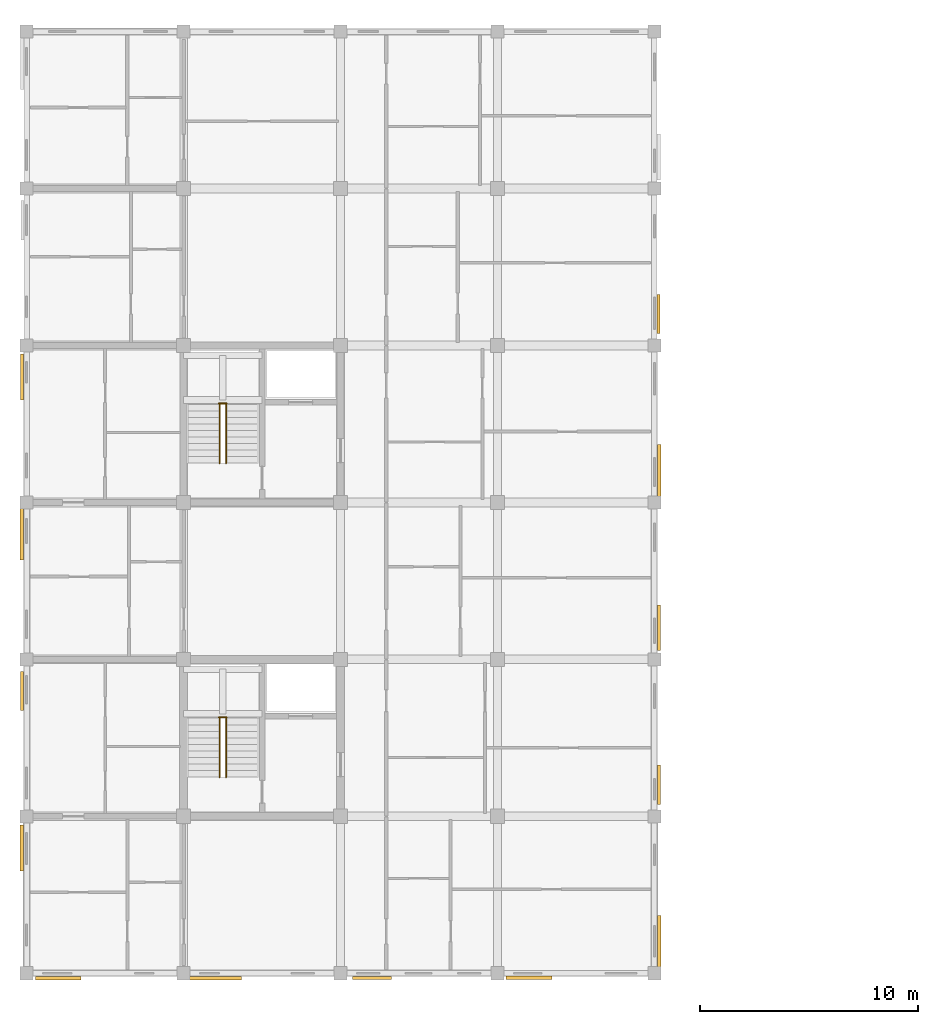
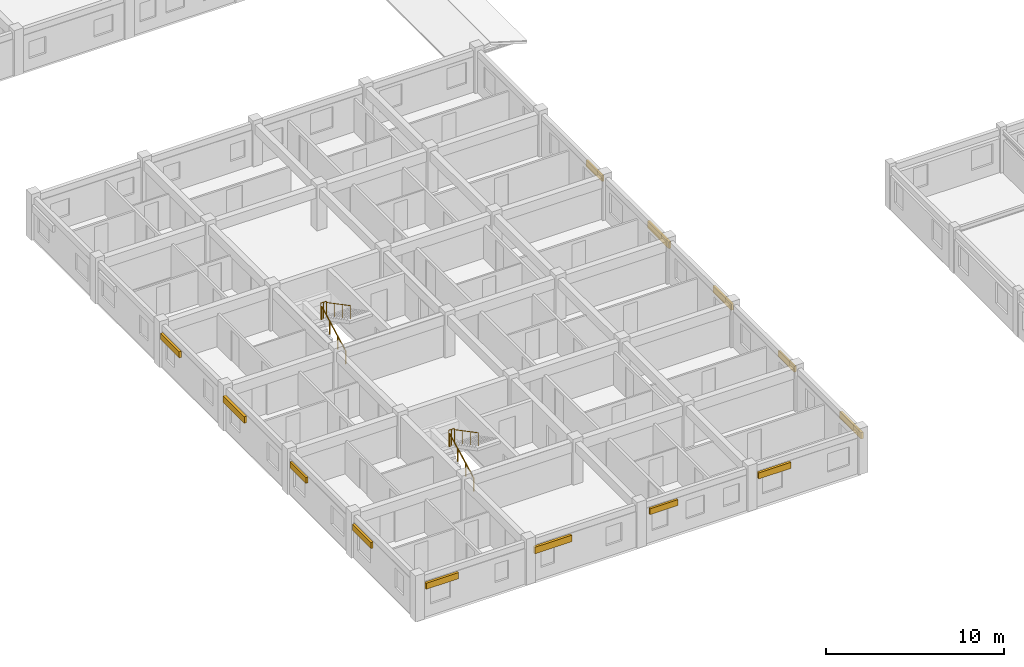
# One storey, part 43 of 50: 13 shading devices, 6 railings.
"""IFC4 building model written with IfcOpenShell, lengths in metres."""

from ifc_helpers import new_model, si_unit, direction, frame, origin, origin_2d, place, context, subcontext, project, spatial, rectangle, circle, extrude, material, type_object, element, save


model = new_model("IFC4")

# Units and contexts
model_context = context("Model", 3, precision=1e-05, world=origin(), true_north=direction((0.0, 1.0)))
body_context = subcontext(model_context, "Body", "Model", "MODEL_VIEW")
ifc_project = project(units=[si_unit("LENGTHUNIT", "METRE"), si_unit("AREAUNIT", "SQUARE_METRE"), si_unit("VOLUMEUNIT", "CUBIC_METRE"), si_unit("PLANEANGLEUNIT", "RADIAN"), si_unit("MASSUNIT", "GRAM", prefix="KILO"), si_unit("THERMODYNAMICTEMPERATUREUNIT", "KELVIN"), si_unit("POWERUNIT", "WATT")], contexts=[model_context])

# Site, building, storey
site_placement = place(None, origin())
site = spatial("IfcSite", under=ifc_project, at=site_placement, CompositionType="ELEMENT")
building_placement = place(site_placement, origin())
building = spatial("IfcBuilding", under=site, at=building_placement, Name="Tavuni Mirador Residences", CompositionType="ELEMENT")
storey_placement = place(building_placement, frame((0.0, 0.0, 4.5)))
storey = spatial("IfcBuildingStorey", under=building, at=storey_placement, Name="L01", CompositionType="ELEMENT", Elevation=4.5)

# Railings
ifc_material_1 = material(Name="Structural steel S355", Category="steel")
railing_type_1 = type_object("IfcRailingType", Name="RT-GR1120", PredefinedType="GUARDRAIL", material=ifc_material_1)
for number, where, name in (
    (1, (12.419921875, 18.93994140625, 1.574951171875), "GRD-HL-ST1-L01"),
    (2, (12.419921875, 33.340087890625, 1.574951171875), "GRD-HL-ST2-L01"),
):
    element("IfcRailing", number, at=place(storey_placement, frame(where)), inside=storey, type_object=railing_type_1, Name=name, PredefinedType="GUARDRAIL", context=body_context, shape_type="SweptSolid", body=[
        extrude(circle(Radius=0.02392578125, at=origin_2d()), frame((0.0, 0.0, 1.09619140625), z_axis=(1.0, 0.0, 0.0), x_axis=(0.0, 1.0, 0.0)), (0.0, 0.0, 1.0), 0.360107421875),
        extrude(circle(Radius=0.02099609375, at=origin_2d()), origin(), (0.0, 0.0, 1.0), 1.072021484375),
        extrude(circle(Radius=0.02099609375, at=origin_2d()), frame((0.18017578125, 0.0, 0.0)), (0.0, 0.0, 1.0), 1.072021484375),
        extrude(circle(Radius=0.02099609375, at=origin_2d()), frame((0.360107421875, 0.0, 0.0)), (0.0, 0.0, 1.0), 1.072021484375),
    ])
railing_type_2 = type_object("IfcRailingType", Name="RT-HR920", PredefinedType="HANDRAIL", material=ifc_material_1)
railing_1_placement = place(storey_placement, frame((12.449951171875, 16.199951171875, 0.157470703125)))
element("IfcRailing", 3, at=railing_1_placement, inside=storey, type_object=railing_type_2, Name="HR-ST1-L01-F1", PredefinedType="HANDRAIL", context=body_context, shape_type="SweptSolid", body=[
    extrude(circle(Radius=0.02392578125, at=origin_2d()), frame((0.0, 0.0, 0.89599609375), z_axis=(0.0, 0.885397079081, 0.464835468048), x_axis=(-1.0, 0.0, 0.0)), (0.0, 0.0, 1.0), 3.04931640625),
    extrude(circle(Radius=0.02099609375, at=origin_2d()), origin(), (0.0, 0.0, 1.0), 0.871826171875),
    extrude(circle(Radius=0.02099609375, at=origin_2d()), frame((0.0, 0.89990234375, 0.472412109375)), (0.0, 0.0, 1.0), 0.871826171875),
    extrude(circle(Radius=0.02099609375, at=origin_2d()), frame((0.0, 1.800048828125, 0.945068359375)), (0.0, 0.0, 1.0), 0.871826171875),
    extrude(circle(Radius=0.02099609375, at=origin_2d()), frame((0.0, 2.699951171875, 1.41748046875)), (0.0, 0.0, 1.0), 0.871826171875),
])
railing_2_placement = place(storey_placement, frame((12.75, 18.89990234375, 1.732421875)))
element("IfcRailing", 4, at=railing_2_placement, inside=storey, type_object=railing_type_2, Name="HR-ST1-L01-F2", PredefinedType="HANDRAIL", context=body_context, shape_type="SweptSolid", body=[
    extrude(circle(Radius=0.02392578125, at=origin_2d()), frame((0.0, 0.0, 0.89599609375), z_axis=(0.0, -0.885397079081, 0.464835468048), x_axis=(1.0, 0.0, 0.0)), (0.0, 0.0, 1.0), 3.04931640625),
    extrude(circle(Radius=0.02099609375, at=origin_2d()), origin(), (0.0, 0.0, 1.0), 0.871826171875),
    extrude(circle(Radius=0.02099609375, at=origin_2d()), frame((0.0, -0.89990234375, 0.472412109375)), (0.0, 0.0, 1.0), 0.871826171875),
    extrude(circle(Radius=0.02099609375, at=origin_2d()), frame((0.0, -1.800048828125, 0.945068359375)), (0.0, 0.0, 1.0), 0.871826171875),
    extrude(circle(Radius=0.02099609375, at=origin_2d()), frame((0.0, -2.699951171875, 1.41748046875)), (0.0, 0.0, 1.0), 0.871826171875),
])
railing_3_placement = place(storey_placement, frame((12.449951171875, 30.60009765625, 0.157470703125)))
element("IfcRailing", 5, at=railing_3_placement, inside=storey, type_object=railing_type_2, Name="HR-ST2-L01-F1", PredefinedType="HANDRAIL", context=body_context, shape_type="SweptSolid", body=[
    extrude(circle(Radius=0.02392578125, at=origin_2d()), frame((0.0, 0.0, 0.89599609375), z_axis=(0.0, 0.885397079081, 0.464835468048), x_axis=(-1.0, 0.0, 0.0)), (0.0, 0.0, 1.0), 3.04931640625),
    extrude(circle(Radius=0.02099609375, at=origin_2d()), origin(), (0.0, 0.0, 1.0), 0.871826171875),
    extrude(circle(Radius=0.02099609375, at=origin_2d()), frame((0.0, 0.89990234375, 0.472412109375)), (0.0, 0.0, 1.0), 0.871826171875),
    extrude(circle(Radius=0.02099609375, at=origin_2d()), frame((0.0, 1.800048828125, 0.945068359375)), (0.0, 0.0, 1.0), 0.871826171875),
    extrude(circle(Radius=0.02099609375, at=origin_2d()), frame((0.0, 2.699951171875, 1.41748046875)), (0.0, 0.0, 1.0), 0.871826171875),
])
railing_4_placement = place(storey_placement, frame((12.75, 33.300048828125, 1.732421875)))
element("IfcRailing", 6, at=railing_4_placement, inside=storey, type_object=railing_type_2, Name="HR-ST2-L01-F2", PredefinedType="HANDRAIL", context=body_context, shape_type="SweptSolid", body=[
    extrude(circle(Radius=0.02392578125, at=origin_2d()), frame((0.0, 0.0, 0.89599609375), z_axis=(0.0, -0.885397079081, 0.464835468048), x_axis=(1.0, 0.0, 0.0)), (0.0, 0.0, 1.0), 3.04931640625),
    extrude(circle(Radius=0.02099609375, at=origin_2d()), origin(), (0.0, 0.0, 1.0), 0.871826171875),
    extrude(circle(Radius=0.02099609375, at=origin_2d()), frame((0.0, -0.89990234375, 0.472412109375)), (0.0, 0.0, 1.0), 0.871826171875),
    extrude(circle(Radius=0.02099609375, at=origin_2d()), frame((0.0, -1.800048828125, 0.945068359375)), (0.0, 0.0, 1.0), 0.871826171875),
    extrude(circle(Radius=0.02099609375, at=origin_2d()), frame((0.0, -2.699951171875, 1.41748046875)), (0.0, 0.0, 1.0), 0.871826171875),
])

# Shading devices
ifc_material_2 = material(Name="Solid core iroko timber", Category="wood")
shading_device_type_1 = type_object("IfcShadingDeviceType", Name="SHT-LV1800", PredefinedType="JALOUSIE", material=ifc_material_2)
for number, where, z_axis, x_axis, name in (
    (7, (19.449951171875, 6.988037109375, 2.02001953125), (0.0, 0.0, 1.0), (1.0, 0.0, 0.0), "SHD-003"),
    (8, (32.619384765625, 15.85009765625, 2.02001953125), (0.0, 0.0, 1.0), (0.0, 1.0, 0.0), "SHD-006"),
    (9, (32.594482421875, 37.449951171875, 2.02001953125), (0.0, 0.0, 1.0), (0.0, 1.0, 0.0), "SHD-009"),
    (10, (3.380615234375, 20.14990234375, 2.02001953125), (0.0, 0.0, 1.0), (0.0, -1.0, 0.0), "SHD-015"),
):
    element("IfcShadingDevice", number, at=place(storey_placement, frame(where, z_axis=z_axis, x_axis=x_axis)), inside=storey, type_object=shading_device_type_1, Name=name, PredefinedType="JALOUSIE", context=body_context, shape_type="SweptSolid", body=[
        extrude(rectangle(XDim=1.800048828125, YDim=0.139892578125, at=origin_2d()), origin(), (0.0, 0.0, 1.0), 0.39990234375),
    ])
shading_device_type_2 = type_object("IfcShadingDeviceType", Name="SHT-LV2100", PredefinedType="JALOUSIE", material=ifc_material_2)
for number, where, z_axis, x_axis, name in (
    (11, (5.050048828125, 6.970458984375, 2.0), (0.0, 0.0, 1.0), (1.0, 0.0, 0.0), "SHD-001"),
    (12, (26.64990234375, 6.990478515625, 2.0), (0.0, 0.0, 1.0), (1.0, 0.0, 0.0), "SHD-004"),
    (13, (32.616943359375, 23.050048828125, 2.0), (0.0, 0.0, 1.0), (0.0, 1.0, 0.0), "SHD-007"),
    (14, (3.390380859375, 34.550048828125, 2.0), (0.0, 0.0, 1.0), (0.0, -1.0, 0.0), "SHD-013"),
    (15, (3.37060546875, 12.949951171875, 2.0), (0.0, 0.0, 1.0), (0.0, -1.0, 0.0), "SHD-016"),
):
    element("IfcShadingDevice", number, at=place(storey_placement, frame(where, z_axis=z_axis, x_axis=x_axis)), inside=storey, type_object=shading_device_type_2, Name=name, PredefinedType="JALOUSIE", context=body_context, shape_type="SweptSolid", body=[
        extrude(rectangle(XDim=2.10009765625, YDim=0.14990234375, at=origin_2d()), origin(), (0.0, 0.0, 1.0), 0.419921875),
    ])
shading_device_type_3 = type_object("IfcShadingDeviceType", Name="SHT-LV2400", PredefinedType="JALOUSIE", material=ifc_material_2)
for number, where, z_axis, x_axis, name in (
    (16, (12.25, 6.970458984375, 1.97021484375), (0.0, 0.0, 1.0), (1.0, 0.0, 0.0), "SHD-002"),
    (17, (32.634521484375, 8.64990234375, 1.97021484375), (0.0, 0.0, 1.0), (0.0, 1.0, 0.0), "SHD-005"),
    (18, (32.614501953125, 30.25, 1.97021484375), (0.0, 0.0, 1.0), (0.0, 1.0, 0.0), "SHD-008"),
    (19, (3.3779296875, 27.35009765625, 1.97021484375), (0.0, 0.0, 1.0), (0.0, -1.0, 0.0), "SHD-014"),
):
    element("IfcShadingDevice", number, at=place(storey_placement, frame(where, z_axis=z_axis, x_axis=x_axis)), inside=storey, type_object=shading_device_type_3, Name=name, PredefinedType="JALOUSIE", context=body_context, shape_type="SweptSolid", body=[
        extrude(rectangle(XDim=2.39990234375, YDim=0.159912109375, at=origin_2d()), origin(), (0.0, 0.0, 1.0), 0.449951171875),
    ])

save(model, "model.ifc")
